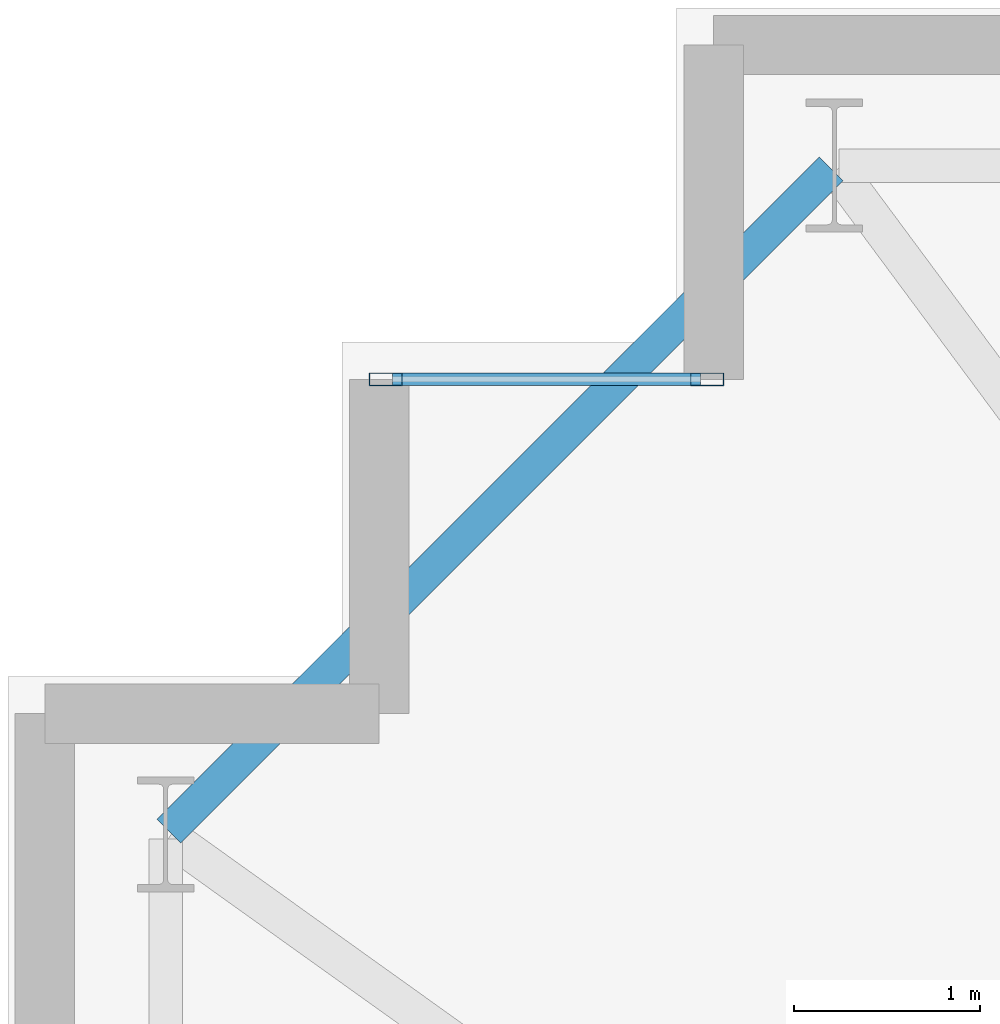
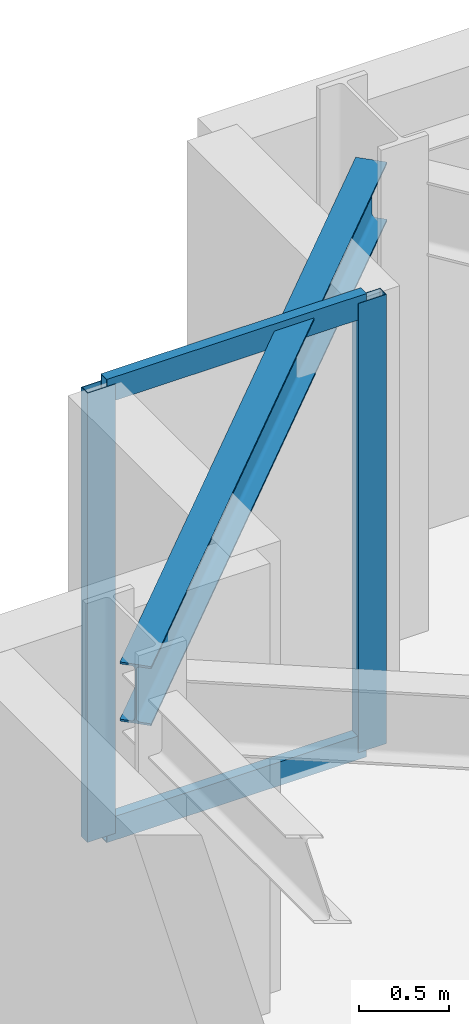
# One storey, part 12 of 24: 4 members, 1 beam, 1 element without a shape of its own.
"""IFC4 building model written with IfcOpenShell, lengths in metres."""

from ifc_helpers import new_model, si_unit, direction, frame, origin, origin_2d, place, context, subcontext, project, spatial, hollow_rectangle, i_section, extrude, material, layer, layer_set, material_profile, profile_set, type_object, element, aggregate, save


model = new_model("IFC4")

# Units and contexts
model_context = context("Model", 3, precision=1e-05, world=origin(), true_north=direction((0.0, 1.0)))
body_context = subcontext(model_context, "Body", "Model", "MODEL_VIEW")
ifc_project = project(units=[si_unit("LENGTHUNIT", "METRE"), si_unit("AREAUNIT", "SQUARE_METRE"), si_unit("VOLUMEUNIT", "CUBIC_METRE"), si_unit("PLANEANGLEUNIT", "RADIAN"), si_unit("MASSUNIT", "GRAM", prefix="KILO")], contexts=[model_context])

# Site, building, storey
site_placement = place(None, origin())
site = spatial("IfcSite", under=ifc_project, at=site_placement, CompositionType="ELEMENT")
building_placement = place(site_placement, origin())
building = spatial("IfcBuilding", under=site, at=building_placement, Name="Qobustan Lattice House", CompositionType="ELEMENT")
storey_placement = place(building_placement, frame((0.0, 0.0, 43.75)))
storey = spatial("IfcBuildingStorey", under=building, at=storey_placement, Name="L11", CompositionType="ELEMENT", Elevation=43.75)

# Beam
ifc_material_1 = material(Name="Steel S355", Category="steel")
ifc_material_profile_1 = material_profile(ifc_material_1, i_section(OverallWidth=0.179931640625, OverallDepth=0.39990234375, WebThickness=0.008544921875, FlangeThickness=0.013427734375, FilletRadius=0.02099609375, at=origin_2d()), Name="IPE400")
ifc_profile_set_1 = profile_set([ifc_material_profile_1], Name="Steel S355")
beam_type = type_object("IfcBeamType", Name="BM-SPD-IPE400", PredefinedType="SPANDREL", material=ifc_profile_set_1)
beam_placement = place(storey_placement, frame((-28.567626953125, 18.732421875, 2.8349609375), z_axis=(-0.707106781187, -0.707106781187, 0.0), x_axis=(0.707106781187, -0.707106781187, 0.0)))
element("IfcBeam", 1, at=beam_placement, inside=storey, type_object=beam_type, Name="L11 perimeter spandrel N7-W1", PredefinedType="SPANDREL", context=body_context, shape_type="SweptSolid", body=[
    extrude(i_section(OverallWidth=0.179931640625, OverallDepth=0.39990234375, WebThickness=0.008544921875, FlangeThickness=0.013427734375, FilletRadius=0.02099609375, at=origin_2d()), origin(), (0.0, 0.0, 1.0), 5.041259765625),
])

# Curtain wall, members
ifc_material_2 = material(Name="Anodised aluminium and low-E glazing", Category="aluminium")
ifc_layer = layer(ifc_material_2, 0.219970703125)
ifc_layer_set = layer_set([ifc_layer], Name="Anodised aluminium and low-E glazing")
curtain_wall_type = type_object("IfcCurtainWallType", Name="CW-FAC-01", PredefinedType="USERDEFINED", material=ifc_layer_set)
curtain_wall_placement = place(storey_placement, origin())
curtain_wall = element("IfcCurtainWall", 2, at=curtain_wall_placement, inside=storey, type_object=curtain_wall_type, Name="L11 serrated corner faceted glazing 8", ObjectType="CURTAIN WALL", PredefinedType="USERDEFINED")
ifc_material_3 = material(Name="Anodised aluminium EN AW-6063 T6", Category="aluminium")
ifc_material_profile_2 = material_profile(ifc_material_3, hollow_rectangle(XDim=0.070068359375, YDim=0.179931640625, WallThickness=0.00439453125, at=origin_2d()), Name="CWM-180x70")
ifc_profile_set_2 = profile_set([ifc_material_profile_2], Name="Anodised aluminium EN AW-6063 T6")
member_type_1 = type_object("IfcMemberType", Name="CWM-STD-180", PredefinedType="MULLION", material=ifc_profile_set_2)
member_1_placement = place(storey_placement, frame((-30.965087890625, 17.60009765625, 0.0), z_axis=(0.0, 0.0, 1.0), x_axis=(0.0, 1.0, 0.0)))
member_1 = element("IfcMember", 3, at=member_1_placement, type_object=member_type_1, Name="CW-F1 mullion 1", PredefinedType="MULLION", context=body_context, shape_type="SweptSolid", body=[
    extrude(hollow_rectangle(XDim=0.070068359375, YDim=0.179931640625, WallThickness=0.00439453125, at=origin_2d()), origin(), (0.0, 0.0, 1.0), 3.034912109375),
])
member_2_placement = place(storey_placement, frame((-29.235107421875, 17.60009765625, 0.0), z_axis=(0.0, 0.0, 1.0), x_axis=(0.0, 1.0, 0.0)))
member_2 = element("IfcMember", 4, at=member_2_placement, type_object=member_type_1, Name="CW-F1 mullion 2", PredefinedType="MULLION", context=body_context, shape_type="SweptSolid", body=[
    extrude(hollow_rectangle(XDim=0.070068359375, YDim=0.179931640625, WallThickness=0.00439453125, at=origin_2d()), origin(), (0.0, 0.0, 1.0), 3.034912109375),
])
ifc_material_4 = material(Name="Anodised aluminium EN AW-6063 T6", Category="aluminium")
ifc_material_profile_3 = material_profile(ifc_material_4, hollow_rectangle(XDim=0.06494140625, YDim=0.159912109375, WallThickness=0.00390625, at=origin_2d()), Name="CWT-160x65")
ifc_profile_set_3 = profile_set([ifc_material_profile_3], Name="Anodised aluminium EN AW-6063 T6")
member_type_2 = type_object("IfcMemberType", Name="CWT-HOR-160", PredefinedType="USERDEFINED", material=ifc_profile_set_3)
member_3_placement = place(storey_placement, frame((-30.929931640625, 17.60009765625, 0.032470703125), z_axis=(1.0, 0.0, 0.0), x_axis=(0.0, 1.0, 0.0)))
member_3 = element("IfcMember", 5, at=member_3_placement, type_object=member_type_2, Name="CW-F1 transom 1.1", ObjectType="TRANSOM", PredefinedType="USERDEFINED", context=body_context, shape_type="SweptSolid", body=[
    extrude(hollow_rectangle(XDim=0.06494140625, YDim=0.159912109375, WallThickness=0.00390625, at=origin_2d()), origin(), (0.0, 0.0, 1.0), 1.659912109375),
])
member_4_placement = place(storey_placement, frame((-30.929931640625, 17.60009765625, 3.00244140625), z_axis=(1.0, 0.0, 0.0), x_axis=(0.0, 1.0, 0.0)))
member_4 = element("IfcMember", 6, at=member_4_placement, type_object=member_type_2, Name="CW-F1 transom 1.2", ObjectType="TRANSOM", PredefinedType="USERDEFINED", context=body_context, shape_type="SweptSolid", body=[
    extrude(hollow_rectangle(XDim=0.06494140625, YDim=0.159912109375, WallThickness=0.00390625, at=origin_2d()), origin(), (0.0, 0.0, 1.0), 1.659912109375),
])
aggregate(curtain_wall, [member_1, member_2, member_3, member_4])

save(model, "model.ifc")
